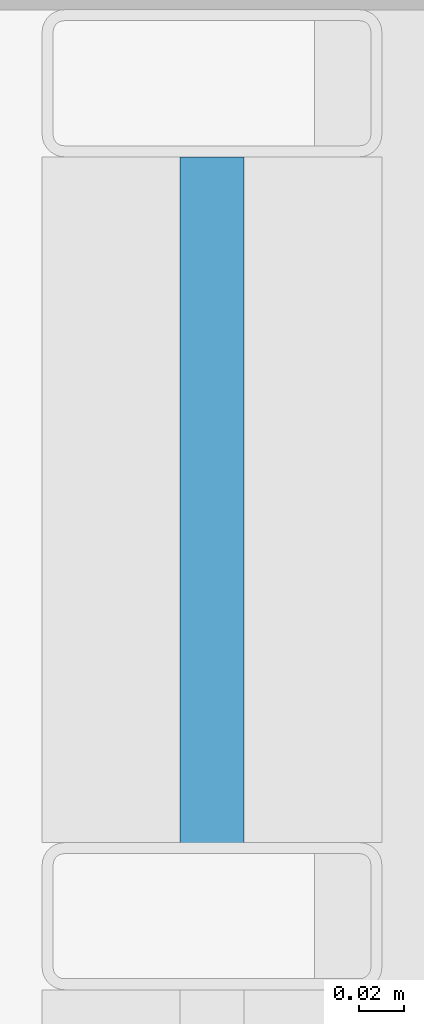
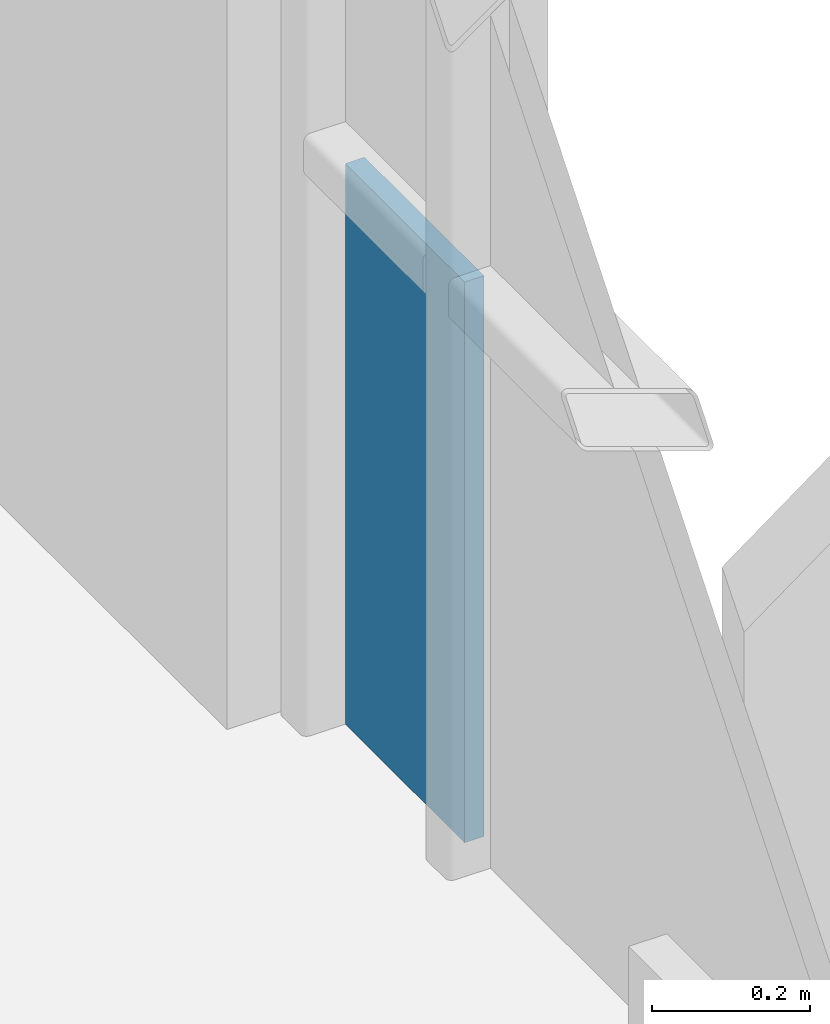
# One storey, part 28 of 40: 1 plate, 1 element without a shape of its own.
"""IFC4 building model written with IfcOpenShell, lengths in metres."""

from ifc_helpers import new_model, si_unit, direction, frame, origin, origin_2d, place, context, subcontext, project, spatial, rectangle, extrude, material, layer, layer_set, type_object, element, aggregate, save


model = new_model("IFC4")

# Units and contexts
model_context = context("Model", 3, precision=1e-05, world=origin(), true_north=direction((0.0, 1.0)))
body_context = subcontext(model_context, "Body", "Model", "MODEL_VIEW")
ifc_project = project(units=[si_unit("LENGTHUNIT", "METRE"), si_unit("AREAUNIT", "SQUARE_METRE"), si_unit("VOLUMEUNIT", "CUBIC_METRE"), si_unit("PLANEANGLEUNIT", "RADIAN"), si_unit("MASSUNIT", "GRAM", prefix="KILO")], contexts=[model_context])

# Site, building, storey
site_placement = place(None, origin())
site = spatial("IfcSite", under=ifc_project, at=site_placement, CompositionType="ELEMENT")
building_placement = place(site_placement, origin())
building = spatial("IfcBuilding", under=site, at=building_placement, Name="Brevholm Reach", CompositionType="ELEMENT")
storey_placement = place(building_placement, frame((0.0, 0.0, 148.0)))
storey = spatial("IfcBuildingStorey", under=building, at=storey_placement, Name="L44", CompositionType="ELEMENT", Elevation=148.0)

# Curtain wall, plate
ifc_material_1 = material(Name="Dark Anodised Aluminium 6063-T6 and Solar-Control Glass", Category="aluminium")
ifc_layer_1 = layer(ifc_material_1, 0.14990234375)
ifc_layer_set_1 = layer_set([ifc_layer_1], Name="Dark Anodised Aluminium 6063-T6 and Solar-Control Glass")
curtain_wall_type = type_object("IfcCurtainWallType", Name="CW-01", PredefinedType="NOTDEFINED", material=ifc_layer_set_1)
curtain_wall_placement = place(storey_placement, origin())
curtain_wall = element("IfcCurtainWall", 1, at=curtain_wall_placement, inside=storey, type_object=curtain_wall_type, Name="L44 Curtain Wall CW-01", PredefinedType="NOTDEFINED")
ifc_material_2 = material(Name="Dark Solar-Control Double-Glazed IGU Glass", Category="glass")
ifc_layer_2 = layer(ifc_material_2, 0.028076171875)
ifc_layer_set_2 = layer_set([ifc_layer_2], Name="Dark Solar-Control Double-Glazed IGU Glass")
plate_type = type_object("IfcPlateType", Name="CWP-GLZ-28", PredefinedType="CURTAIN_PANEL", material=ifc_layer_set_2)
plate_placement = place(storey_placement, frame((59.85009765625, 22.733642578125, 0.0), z_axis=(0.0, 0.0, 1.0), x_axis=(0.0, 1.0, 0.0)))
plate = element("IfcPlate", 2, at=plate_placement, type_object=plate_type, Name="CP-01 Glazing Panel 5.1", PredefinedType="CURTAIN_PANEL", context=body_context, shape_type="SweptSolid", body=[
    extrude(rectangle(XDim=0.302490234375, YDim=0.028076171875, at=origin_2d()), origin(), (0.0, 0.0, 1.0), 0.867431640625),
])
aggregate(curtain_wall, [plate])

save(model, "model.ifc")
